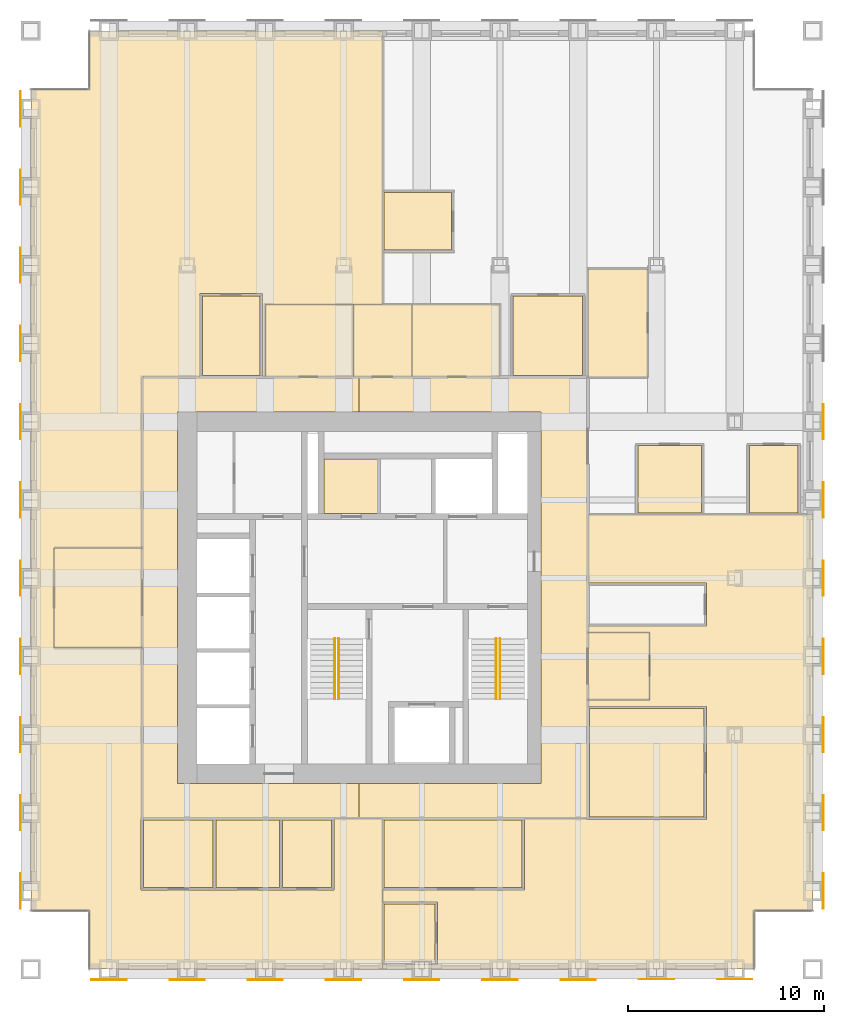
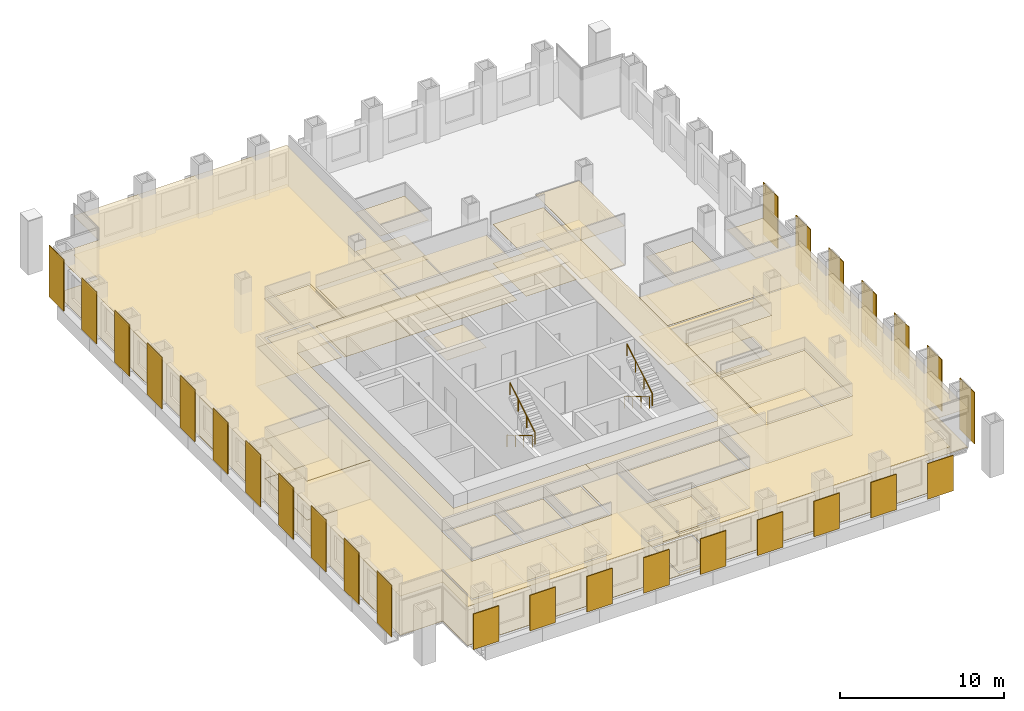
# One storey, part 13 of 14: 41 coverings, 27 shading devices, 4 railings.
"""IFC4 building model written with IfcOpenShell, lengths in metres."""

import ifcopenshell
import ifcopenshell.guid

model = None  # the IFC model being written
_history = None  # IfcOwnerHistory: only IFC2X3 demands one
_inside = {}  # id of a spatial element -> (the spatial element, [elements in it])
_under = {}  # id of a project, library or spatial element -> (it, [spatial elements below it])
_declared = {}  # id of a project -> (the project, [libraries it declares])
_typed = {}  # id of a type object -> (the type object, [elements of that type])
_made_of = {}  # id of a material, layer set ... -> (it, [elements and type objects made of it])


def new_model(schema):
    """Start an empty IFC model of exactly this schema.

    Asked for "IFC4X3", IfcOpenShell would pick the latest addendum, in which some entities
    have other attributes; the version numbers below select the first issue.
    IFC2X3 requires an IfcOwnerHistory on every rooted entity: one is made here for all.
    """
    global model, _history
    if schema == "IFC4X3":
        model = ifcopenshell.file(schema_version=(4, 3, 0, 0))
    else:
        model = ifcopenshell.file(schema=schema)
    _inside.clear()
    _under.clear()
    _declared.clear()
    _typed.clear()
    _made_of.clear()
    _history = None
    if model.schema == "IFC2X3":
        org = make("IfcOrganization", Name="unknown")
        user = make(
            "IfcPersonAndOrganization",
            ThePerson=make("IfcPerson", FamilyName="unknown"),
            TheOrganization=org,
        )
        app = make(
            "IfcApplication",
            ApplicationDeveloper=org,
            Version="unknown",
            ApplicationFullName="unknown",
            ApplicationIdentifier="unknown",
        )
        _history = make(
            "IfcOwnerHistory",
            OwningUser=user,
            OwningApplication=app,
            ChangeAction="ADDED",
            CreationDate=0,
        )
    return model


def make(cls, **values):
    """One entity of the class cls with the attributes given. An attribute that is None is left unset."""
    return model.create_entity(
        cls, **{name: value for name, value in values.items() if value is not None}
    )


def rooted(cls, **values):
    """An entity with a GlobalId (a new one), such as an element, a storey or a relation."""
    return make(cls, GlobalId=ifcopenshell.guid.new(), OwnerHistory=_history, **values)


def si_unit(unit_type, name, prefix=None):
    """IfcSIUnit, for example si_unit("LENGTHUNIT", "METRE", prefix="MILLI")."""
    return make("IfcSIUnit", UnitType=unit_type, Prefix=prefix, Name=name)


def assignment(units):
    """IfcUnitAssignment: the units of a project."""
    return None if units is None else make("IfcUnitAssignment", Units=units)


def point(xyz):
    """IfcCartesianPoint."""
    return None if xyz is None else make("IfcCartesianPoint", Coordinates=xyz)


def direction(xyz):
    """IfcDirection."""
    return None if xyz is None else make("IfcDirection", DirectionRatios=xyz)


def frame(location, z_axis=None, x_axis=None):
    """IfcAxis2Placement3D, a coordinate frame: its origin and axes. An axis left out is left unset."""
    return make(
        "IfcAxis2Placement3D",
        Location=point(location),
        Axis=direction(z_axis),
        RefDirection=direction(x_axis),
    )


def frame_2d(location, x_axis=None):
    """IfcAxis2Placement2D, a coordinate frame in the plane: its origin and x axis."""
    return make(
        "IfcAxis2Placement2D", Location=point(location), RefDirection=direction(x_axis)
    )


def origin():
    """The frame at (0, 0, 0) with its axes left unset."""
    return frame((0.0, 0.0, 0.0))


def origin_2d():
    """The frame at (0, 0) in the plane with its x axis left unset."""
    return frame_2d((0.0, 0.0))


def place(relative_to, where):
    """IfcLocalPlacement: puts the frame where relative to a parent placement (None: the world)."""
    return make(
        "IfcLocalPlacement", PlacementRelTo=relative_to, RelativePlacement=where
    )


def context(
    kind, dimensions, precision=None, world=None, true_north=None, identifier=None
):
    """IfcGeometricRepresentationContext, for example the 3D "Model" context."""
    return make(
        "IfcGeometricRepresentationContext",
        ContextIdentifier=identifier,
        ContextType=kind,
        CoordinateSpaceDimension=dimensions,
        Precision=precision,
        WorldCoordinateSystem=world,
        TrueNorth=true_north,
    )


def subcontext(parent, identifier, kind, view, scale=None):
    """IfcGeometricRepresentationSubContext, for example "Body" below "Model"."""
    return make(
        "IfcGeometricRepresentationSubContext",
        ContextIdentifier=identifier,
        ContextType=kind,
        ParentContext=parent,
        TargetScale=scale,
        TargetView=view,
    )


def project(units=None, contexts=None):
    """IfcProject with its units and contexts."""
    return rooted(
        "IfcProject",
        Name="project",
        RepresentationContexts=contexts,
        UnitsInContext=assignment(units),
    )


def spatial(cls, under=None, at=None, **own):
    """A site, building, storey or space (cls), placed at a placement, below another one or the project."""
    s = rooted(cls, ObjectPlacement=at, **own)
    if under is not None:
        _under.setdefault(under.id(), (under, []))[1].append(s)
    return s


def polyline(points):
    """IfcPolyline through the points."""
    return make("IfcPolyline", Points=[point(p) for p in points])


def profile(cls, at=None, kind="AREA", **sizes):
    """A parametric profile (cls). Its sizes go by their IFC names, for example OverallWidth=200.0."""
    return make(cls, ProfileType=kind, Position=at, **sizes)


def rectangle(**sizes):
    """IfcRectangleProfileDef."""
    return profile("IfcRectangleProfileDef", **sizes)


def circle(**sizes):
    """IfcCircleProfileDef."""
    return profile("IfcCircleProfileDef", **sizes)


def outline(outer, holes=None, kind="AREA"):
    """IfcArbitraryClosedProfileDef: a profile drawn as a closed curve; with holes, ...WithVoids."""
    if holes is None:
        return make("IfcArbitraryClosedProfileDef", ProfileType=kind, OuterCurve=outer)
    return make(
        "IfcArbitraryProfileDefWithVoids",
        ProfileType=kind,
        OuterCurve=outer,
        InnerCurves=holes,
    )


def extrude(swept, where, along, depth):
    """IfcExtrudedAreaSolid: the profile swept, set in the frame where, extruded along a direction by depth."""
    return make(
        "IfcExtrudedAreaSolid",
        SweptArea=swept,
        Position=where,
        ExtrudedDirection=direction(along),
        Depth=depth,
    )


def shape(context_of_items, identifier, shape_type, items):
    """IfcShapeRepresentation: the items that make up one representation, for example the "Body"."""
    return make(
        "IfcShapeRepresentation",
        ContextOfItems=context_of_items,
        RepresentationIdentifier=identifier,
        RepresentationType=shape_type,
        Items=items,
    )


def material(Name=None, Category=None):
    """IfcMaterial."""
    return make("IfcMaterial", Name=Name, Category=Category)


def layer(
    of_material, thickness, ventilated=None, Name=None, Category=None, Priority=None
):
    """IfcMaterialLayer: one layer of a wall or slab, of a material (None: an air gap)."""
    return make(
        "IfcMaterialLayer",
        Material=of_material,
        LayerThickness=thickness,
        IsVentilated=ventilated,
        Name=Name,
        Category=Category,
        Priority=Priority,
    )


def layer_set(layers, Name=None):
    """IfcMaterialLayerSet."""
    return make("IfcMaterialLayerSet", MaterialLayers=layers, LayerSetName=Name)


def made_of(thing, what):
    """Note that an element or type object is made of a material, layer set ...; save() writes the relation."""
    if what is not None:
        _made_of.setdefault(what.id(), (what, []))[1].append(thing)
    return thing


def type_object(cls, material=None, **own):
    """A type object (cls), such as IfcWallType, which elements share."""
    return made_of(rooted(cls, **own), material)


def element(
    cls,
    number,
    at=None,
    inside=None,
    cuts=None,
    type_object=None,
    material=None,
    context=None,
    identifier="Body",
    shape_type=None,
    held_by="IfcProductDefinitionShape",
    body=None,
    shapes=None,
    **own,
):
    """One element of the class cls, such as IfcWall. Its Tag is "e" and its number.

    at: its placement. inside: the storey or other place that contains it. cuts: it is an
    opening in that element (IfcRelVoidsElement). A single representation is given by context,
    identifier, shape_type and body (its items); several are given by shapes. held_by: the class
    of the entity that holds the representations. save() writes the other relations.
    """
    e = rooted(cls, Tag="e%d" % number, ObjectPlacement=at, **own)
    if body is not None:
        shapes = [shape(context, identifier, shape_type, body)]
    if shapes is not None:
        e.Representation = make(held_by, Representations=shapes)
    if inside is not None:
        _inside.setdefault(inside.id(), (inside, []))[1].append(e)
    if cuts is not None:
        rooted(
            "IfcRelVoidsElement", RelatingBuildingElement=cuts, RelatedOpeningElement=e
        )
    if type_object is not None:
        _typed.setdefault(type_object.id(), (type_object, []))[1].append(e)
    return made_of(e, material)


def aggregate(whole, parts):
    """IfcRelAggregates: a whole, such as a stair, and the parts it consists of."""
    return rooted("IfcRelAggregates", RelatingObject=whole, RelatedObjects=parts)


def save(model, path):
    """Write the relations noted so far, then the file.

    IfcRelAggregates (storeys below a building ...), IfcRelContainedInSpatialStructure (elements
    in a storey), IfcRelDefinesByType, IfcRelAssociatesMaterial and IfcRelDeclares: one each for
    every whole, place, type object, material and project.
    """
    for whole, parts in _under.values():
        aggregate(whole, parts)
    for where, things in _inside.values():
        rooted(
            "IfcRelContainedInSpatialStructure",
            RelatedElements=things,
            RelatingStructure=where,
        )
    for kind, things in _typed.values():
        rooted("IfcRelDefinesByType", RelatedObjects=things, RelatingType=kind)
    for what, things in _made_of.values():
        rooted("IfcRelAssociatesMaterial", RelatedObjects=things, RelatingMaterial=what)
    for by, libraries in _declared.values():
        rooted("IfcRelDeclares", RelatingContext=by, RelatedDefinitions=libraries)
    model.write(path)


model = new_model("IFC4")

# Units and contexts
model_context = context("Model", 3, precision=1e-05, world=origin(), true_north=direction((0.0, 1.0)))
body_context = subcontext(model_context, "Body", "Model", "MODEL_VIEW")
ifc_project = project(units=[si_unit("LENGTHUNIT", "METRE"), si_unit("AREAUNIT", "SQUARE_METRE"), si_unit("VOLUMEUNIT", "CUBIC_METRE"), si_unit("PLANEANGLEUNIT", "RADIAN"), si_unit("MASSUNIT", "GRAM", prefix="KILO")], contexts=[model_context])

# Site, building, storey
site_placement = place(None, origin())
site = spatial("IfcSite", under=ifc_project, at=site_placement, CompositionType="ELEMENT")
building_placement = place(site_placement, origin())
building = spatial("IfcBuilding", under=site, at=building_placement, Name="Rimbunsela Tower", CompositionType="ELEMENT")
storey_placement = place(building_placement, frame((0.0, 0.0, 234.199951171875)))
storey = spatial("IfcBuildingStorey", under=building, at=storey_placement, Name="L56", CompositionType="ELEMENT", Elevation=234.199951171875)

# Coverings
ifc_material_1 = material(Name="Nylon carpet tile", Category="textile")
ifc_layer_1 = layer(ifc_material_1, 0.010009765625)
ifc_layer_set_1 = layer_set([ifc_layer_1], Name="Carpet tile 10")
covering_type_1 = type_object("IfcCoveringType", Name="Carpet tile 10", PredefinedType="FLOORING", material=ifc_layer_set_1)
covering_1_placement = place(storey_placement, origin())
element("IfcCovering", 1, at=covering_1_placement, inside=storey, type_object=covering_type_1, Name="Floor finish Open office", PredefinedType="FLOORING", context=body_context, shape_type="SweptSolid", body=[
    extrude(outline(polyline([(19.449951171875, 12.050048828125), (22.75, 12.050048828125), (22.85009765625, 12.050048828125), (25.5, 12.050048828125), (25.5, 15.699951171875), (27.9990234375, 15.699951171875), (27.9990234375, 8.0), (15.699951171875, 8.0), (13.0, 8.0), (13.0, 11.0), (10.0, 11.0), (10.0, 53.0), (13.0, 53.0), (13.0, 56.0), (15.699951171875, 56.0), (27.9990234375, 56.0), (27.9990234375, 42.0), (22.0, 42.0), (22.0, 38.300048828125), (21.85009765625, 38.300048828125), (21.85009765625, 42.550048828125), (18.64990234375, 42.550048828125), (18.64990234375, 38.300048828125), (15.699951171875, 38.300048828125), (15.699951171875, 29.550048828125), (11.199951171875, 29.550048828125), (11.199951171875, 24.449951171875), (15.699951171875, 24.449951171875), (15.699951171875, 15.75), (15.64990234375, 15.75), (15.64990234375, 12.050048828125), (15.699951171875, 12.050048828125), (19.35009765625, 12.050048828125), (19.449951171875, 12.050048828125)])), origin(), (0.0, 0.0, 1.0), 0.010009765625),
])
covering_2_placement = place(storey_placement, origin())
element("IfcCovering", 2, at=covering_2_placement, inside=storey, type_object=covering_type_1, Name="Floor finish Open office", PredefinedType="FLOORING", context=body_context, shape_type="SweptSolid", body=[
    extrude(outline(polyline([(28.0009765625, 8.25), (30.800048828125, 8.25), (30.800048828125, 11.449951171875), (28.0009765625, 11.449951171875), (28.0009765625, 12.050048828125), (35.2509765625, 12.050048828125), (35.2509765625, 15.699951171875), (38.449951171875, 15.699951171875), (38.449951171875, 15.64990234375), (38.5, 15.64990234375), (44.550048828125, 15.64990234375), (44.550048828125, 21.448974609375), (38.5, 21.448974609375), (38.5, 21.77392578125), (41.64990234375, 21.77392578125), (41.64990234375, 25.22412109375), (38.5, 25.22412109375), (38.5, 25.549072265625), (44.550048828125, 25.549072265625), (44.550048828125, 27.7490234375), (38.5, 27.7490234375), (38.5, 31.2490234375), (50.0, 31.2490234375), (50.0, 11.0), (47.0, 11.0), (47.0, 8.0), (38.5, 8.0), (28.0009765625, 8.0), (28.0009765625, 8.25)])), origin(), (0.0, 0.0, 1.0), 0.010009765625),
])
covering_3_placement = place(storey_placement, origin())
element("IfcCovering", 3, at=covering_3_placement, inside=storey, type_object=covering_type_1, Name="Floor finish Reception", PredefinedType="FLOORING", context=body_context, shape_type="SweptSolid", body=[
    extrude(outline(polyline([(15.699951171875, 24.449951171875), (15.699951171875, 29.550048828125), (11.199951171875, 29.550048828125), (11.199951171875, 24.449951171875), (15.699951171875, 24.449951171875)])), origin(), (0.0, 0.0, 1.0), 0.010009765625),
])
covering_4_placement = place(storey_placement, origin())
element("IfcCovering", 4, at=covering_4_placement, inside=storey, type_object=covering_type_1, Name="Floor finish Reception", PredefinedType="FLOORING", context=body_context, shape_type="SweptSolid", body=[
    extrude(outline(polyline([(41.64990234375, 21.77392578125), (41.64990234375, 25.22412109375), (38.5, 25.22412109375), (38.5, 21.77392578125), (41.64990234375, 21.77392578125)])), origin(), (0.0, 0.0, 1.0), 0.010009765625),
])
covering_5_placement = place(storey_placement, origin())
element("IfcCovering", 5, at=covering_5_placement, inside=storey, type_object=covering_type_1, Name="Floor finish Reception", PredefinedType="FLOORING", context=body_context, shape_type="SweptSolid", body=[
    extrude(outline(polyline([(41.550048828125, 38.27587890625), (41.550048828125, 43.825927734375), (38.5, 43.825927734375), (38.5, 38.27587890625), (41.550048828125, 38.27587890625)])), origin(), (0.0, 0.0, 1.0), 0.010009765625),
])
covering_6_placement = place(storey_placement, origin())
element("IfcCovering", 6, at=covering_6_placement, inside=storey, type_object=covering_type_1, Name="Floor finish Meeting room", PredefinedType="FLOORING", context=body_context, shape_type="SweptSolid", body=[
    extrude(outline(polyline([(19.324951171875, 12.175048828125), (19.324951171875, 15.625), (15.77490234375, 15.625), (15.77490234375, 12.175048828125), (19.324951171875, 12.175048828125)])), origin(), (0.0, 0.0, 1.0), 0.010009765625),
])
covering_7_placement = place(storey_placement, origin())
element("IfcCovering", 7, at=covering_7_placement, inside=storey, type_object=covering_type_1, Name="Floor finish Pantry", PredefinedType="FLOORING", context=body_context, shape_type="SweptSolid", body=[
    extrude(outline(polyline([(22.72509765625, 12.175048828125), (22.72509765625, 15.625), (19.47509765625, 15.625), (19.47509765625, 12.175048828125), (22.72509765625, 12.175048828125)])), origin(), (0.0, 0.0, 1.0), 0.010009765625),
])
covering_8_placement = place(storey_placement, origin())
element("IfcCovering", 8, at=covering_8_placement, inside=storey, type_object=covering_type_1, Name="Floor finish Print and copy room", PredefinedType="FLOORING", context=body_context, shape_type="SweptSolid", body=[
    extrude(outline(polyline([(25.375, 12.175048828125), (25.375, 15.625), (22.875, 15.625), (22.875, 12.175048828125), (25.375, 12.175048828125)])), origin(), (0.0, 0.0, 1.0), 0.010009765625),
])
covering_9_placement = place(storey_placement, origin())
element("IfcCovering", 9, at=covering_9_placement, inside=storey, type_object=covering_type_1, Name="Floor finish Boardroom", PredefinedType="FLOORING", context=body_context, shape_type="SweptSolid", body=[
    extrude(outline(polyline([(35.1259765625, 12.175048828125), (35.1259765625, 15.625), (28.075927734375, 15.625), (28.075927734375, 12.175048828125), (35.1259765625, 12.175048828125)])), origin(), (0.0, 0.0, 1.0), 0.010009765625),
])
covering_10_placement = place(storey_placement, origin())
element("IfcCovering", 10, at=covering_10_placement, inside=storey, type_object=covering_type_1, Name="Floor finish Pantry", PredefinedType="FLOORING", context=body_context, shape_type="SweptSolid", body=[
    extrude(outline(polyline([(44.425048828125, 15.77490234375), (44.425048828125, 21.323974609375), (38.574951171875, 21.323974609375), (38.574951171875, 15.77490234375), (44.425048828125, 15.77490234375)])), origin(), (0.0, 0.0, 1.0), 0.010009765625),
])
covering_11_placement = place(storey_placement, origin())
element("IfcCovering", 11, at=covering_11_placement, inside=storey, type_object=covering_type_1, Name="Floor finish Office", PredefinedType="FLOORING", context=body_context, shape_type="SweptSolid", body=[
    extrude(outline(polyline([(21.72509765625, 38.375), (21.72509765625, 42.425048828125), (18.77490234375, 42.425048828125), (18.77490234375, 38.375), (21.72509765625, 38.375)])), origin(), (0.0, 0.0, 1.0), 0.010009765625),
])
covering_12_placement = place(storey_placement, origin())
element("IfcCovering", 12, at=covering_12_placement, inside=storey, type_object=covering_type_1, Name="Floor finish Office", PredefinedType="FLOORING", context=body_context, shape_type="SweptSolid", body=[
    extrude(outline(polyline([(30.675048828125, 8.375), (30.675048828125, 11.324951171875), (28.074951171875, 11.324951171875), (28.074951171875, 8.375), (30.675048828125, 8.375)])), origin(), (0.0, 0.0, 1.0), 0.010009765625),
])
covering_13_placement = place(storey_placement, origin())
element("IfcCovering", 13, at=covering_13_placement, inside=storey, type_object=covering_type_1, Name="Floor finish Meeting room", PredefinedType="FLOORING", context=body_context, shape_type="SweptSolid", body=[
    extrude(outline(polyline([(38.22509765625, 38.375), (38.22509765625, 42.425048828125), (34.675048828125, 42.425048828125), (34.675048828125, 38.375), (38.22509765625, 38.375)])), origin(), (0.0, 0.0, 1.0), 0.010009765625),
])
covering_14_placement = place(storey_placement, origin())
element("IfcCovering", 14, at=covering_14_placement, inside=storey, type_object=covering_type_1, Name="Floor finish Pantry", PredefinedType="FLOORING", context=body_context, shape_type="SweptSolid", body=[
    extrude(outline(polyline([(44.300048828125, 31.324951171875), (44.300048828125, 34.77490234375), (41.050048828125, 34.77490234375), (41.050048828125, 31.324951171875), (44.300048828125, 31.324951171875)])), origin(), (0.0, 0.0, 1.0), 0.010009765625),
])
covering_15_placement = place(storey_placement, origin())
element("IfcCovering", 15, at=covering_15_placement, inside=storey, type_object=covering_type_1, Name="Floor finish Print and copy room", PredefinedType="FLOORING", context=body_context, shape_type="SweptSolid", body=[
    extrude(outline(polyline([(49.25, 31.324951171875), (49.25, 34.77490234375), (46.75, 34.77490234375), (46.75, 31.324951171875), (49.25, 31.324951171875)])), origin(), (0.0, 0.0, 1.0), 0.010009765625),
])
covering_16_placement = place(storey_placement, origin())
element("IfcCovering", 16, at=covering_16_placement, inside=storey, type_object=covering_type_1, Name="Floor finish Office", PredefinedType="FLOORING", context=body_context, shape_type="SweptSolid", body=[
    extrude(outline(polyline([(31.52490234375, 44.77490234375), (31.52490234375, 47.72509765625), (28.074951171875, 47.72509765625), (28.074951171875, 44.77490234375), (31.52490234375, 44.77490234375)])), origin(), (0.0, 0.0, 1.0), 0.010009765625),
])
ifc_material_2 = material(Name="Mineral fibre ceiling tile", Category="gypsum")
ifc_layer_2 = layer(ifc_material_2, 0.02001953125)
ifc_layer_set_2 = layer_set([ifc_layer_2], Name="Ceiling 600 grid")
covering_type_2 = type_object("IfcCoveringType", Name="Ceiling 600 grid", PredefinedType="CEILING", material=ifc_layer_set_2)
covering_17_placement = place(storey_placement, frame((0.0, 0.0, 2.900146484375)))
element("IfcCovering", 17, at=covering_17_placement, inside=storey, type_object=covering_type_2, Name="Ceiling IT room", PredefinedType="CEILING", context=body_context, shape_type="SweptSolid", body=[
    extrude(outline(polyline([(27.800048828125, 31.300048828125), (27.800048828125, 34.10009765625), (25.0, 34.10009765625), (25.0, 31.300048828125), (27.800048828125, 31.300048828125)])), origin(), (0.0, 0.0, 1.0), 0.02001953125),
])
covering_18_placement = place(storey_placement, frame((0.0, 0.0, 2.900146484375)))
element("IfcCovering", 18, at=covering_18_placement, inside=storey, type_object=covering_type_2, Name="Ceiling Ring corridor", PredefinedType="CEILING", context=body_context, shape_type="SweptSolid", body=[
    extrude(outline(polyline([(15.699951171875, 38.300048828125), (26.800048828125, 38.300048828125), (26.800048828125, 36.5), (17.5, 36.5), (17.5, 17.5), (26.800048828125, 17.5), (26.800048828125, 15.699951171875), (15.699951171875, 15.699951171875), (15.699951171875, 38.300048828125)])), origin(), (0.0, 0.0, 1.0), 0.02001953125),
])
covering_19_placement = place(storey_placement, frame((0.0, 0.0, 2.900146484375)))
element("IfcCovering", 19, at=covering_19_placement, inside=storey, type_object=covering_type_2, Name="Ceiling Ring corridor", PredefinedType="CEILING", context=body_context, shape_type="SweptSolid", body=[
    extrude(outline(polyline([(38.5, 38.300048828125), (38.5, 15.699951171875), (26.800048828125, 15.699951171875), (26.800048828125, 17.5), (36.10009765625, 17.5), (36.10009765625, 36.5), (26.800048828125, 36.5), (26.800048828125, 38.300048828125), (38.5, 38.300048828125)])), origin(), (0.0, 0.0, 1.0), 0.02001953125),
])
covering_20_placement = place(storey_placement, frame((0.0, 0.0, 2.900146484375)))
element("IfcCovering", 20, at=covering_20_placement, inside=storey, type_object=covering_type_2, Name="Ceiling Open office", PredefinedType="CEILING", context=body_context, shape_type="SweptSolid", body=[
    extrude(outline(polyline([(19.449951171875, 12.050048828125), (22.75, 12.050048828125), (22.85009765625, 12.050048828125), (25.5, 12.050048828125), (25.5, 15.699951171875), (27.9990234375, 15.699951171875), (27.9990234375, 8.0), (15.699951171875, 8.0), (13.0, 8.0), (13.0, 11.0), (10.0, 11.0), (10.0, 53.0), (13.0, 53.0), (13.0, 56.0), (15.699951171875, 56.0), (27.9990234375, 56.0), (27.9990234375, 42.0), (22.0, 42.0), (22.0, 38.300048828125), (21.85009765625, 38.300048828125), (21.85009765625, 42.550048828125), (18.64990234375, 42.550048828125), (18.64990234375, 38.300048828125), (15.699951171875, 38.300048828125), (15.699951171875, 29.550048828125), (11.199951171875, 29.550048828125), (11.199951171875, 24.449951171875), (15.699951171875, 24.449951171875), (15.699951171875, 15.75), (15.64990234375, 15.75), (15.64990234375, 12.050048828125), (15.699951171875, 12.050048828125), (19.35009765625, 12.050048828125), (19.449951171875, 12.050048828125)])), origin(), (0.0, 0.0, 1.0), 0.02001953125),
])
covering_21_placement = place(storey_placement, frame((0.0, 0.0, 2.900146484375)))
element("IfcCovering", 21, at=covering_21_placement, inside=storey, type_object=covering_type_2, Name="Ceiling Open office", PredefinedType="CEILING", context=body_context, shape_type="SweptSolid", body=[
    extrude(outline(polyline([(28.0009765625, 8.25), (30.800048828125, 8.25), (30.800048828125, 11.449951171875), (28.0009765625, 11.449951171875), (28.0009765625, 12.050048828125), (35.2509765625, 12.050048828125), (35.2509765625, 15.699951171875), (38.449951171875, 15.699951171875), (38.449951171875, 15.64990234375), (38.5, 15.64990234375), (44.550048828125, 15.64990234375), (44.550048828125, 21.448974609375), (38.5, 21.448974609375), (38.5, 21.77392578125), (41.64990234375, 21.77392578125), (41.64990234375, 25.22412109375), (38.5, 25.22412109375), (38.5, 25.549072265625), (44.550048828125, 25.549072265625), (44.550048828125, 27.7490234375), (38.5, 27.7490234375), (38.5, 31.2490234375), (50.0, 31.2490234375), (50.0, 11.0), (47.0, 11.0), (47.0, 8.0), (38.5, 8.0), (28.0009765625, 8.0), (28.0009765625, 8.25)])), origin(), (0.0, 0.0, 1.0), 0.02001953125),
])
covering_22_placement = place(storey_placement, frame((0.0, 0.0, 2.900146484375)))
element("IfcCovering", 22, at=covering_22_placement, inside=storey, type_object=covering_type_2, Name="Ceiling Reception", PredefinedType="CEILING", context=body_context, shape_type="SweptSolid", body=[
    extrude(outline(polyline([(15.699951171875, 24.449951171875), (15.699951171875, 29.550048828125), (11.199951171875, 29.550048828125), (11.199951171875, 24.449951171875), (15.699951171875, 24.449951171875)])), origin(), (0.0, 0.0, 1.0), 0.02001953125),
])
covering_23_placement = place(storey_placement, frame((0.0, 0.0, 2.900146484375)))
element("IfcCovering", 23, at=covering_23_placement, inside=storey, type_object=covering_type_2, Name="Ceiling Reception", PredefinedType="CEILING", context=body_context, shape_type="SweptSolid", body=[
    extrude(outline(polyline([(41.64990234375, 21.77392578125), (41.64990234375, 25.22412109375), (38.5, 25.22412109375), (38.5, 21.77392578125), (41.64990234375, 21.77392578125)])), origin(), (0.0, 0.0, 1.0), 0.02001953125),
])
covering_24_placement = place(storey_placement, frame((0.0, 0.0, 2.900146484375)))
element("IfcCovering", 24, at=covering_24_placement, inside=storey, type_object=covering_type_2, Name="Ceiling Reception", PredefinedType="CEILING", context=body_context, shape_type="SweptSolid", body=[
    extrude(outline(polyline([(41.550048828125, 38.27587890625), (41.550048828125, 43.825927734375), (38.5, 43.825927734375), (38.5, 38.27587890625), (41.550048828125, 38.27587890625)])), origin(), (0.0, 0.0, 1.0), 0.02001953125),
])
covering_25_placement = place(storey_placement, frame((0.0, 0.0, 2.900146484375)))
element("IfcCovering", 25, at=covering_25_placement, inside=storey, type_object=covering_type_2, Name="Ceiling Meeting room", PredefinedType="CEILING", context=body_context, shape_type="SweptSolid", body=[
    extrude(outline(polyline([(19.324951171875, 12.175048828125), (19.324951171875, 15.625), (15.77490234375, 15.625), (15.77490234375, 12.175048828125), (19.324951171875, 12.175048828125)])), origin(), (0.0, 0.0, 1.0), 0.02001953125),
])
covering_26_placement = place(storey_placement, frame((0.0, 0.0, 2.900146484375)))
element("IfcCovering", 26, at=covering_26_placement, inside=storey, type_object=covering_type_2, Name="Ceiling Pantry", PredefinedType="CEILING", context=body_context, shape_type="SweptSolid", body=[
    extrude(outline(polyline([(22.72509765625, 12.175048828125), (22.72509765625, 15.625), (19.47509765625, 15.625), (19.47509765625, 12.175048828125), (22.72509765625, 12.175048828125)])), origin(), (0.0, 0.0, 1.0), 0.02001953125),
])
covering_27_placement = place(storey_placement, frame((0.0, 0.0, 2.900146484375)))
element("IfcCovering", 27, at=covering_27_placement, inside=storey, type_object=covering_type_2, Name="Ceiling Print and copy room", PredefinedType="CEILING", context=body_context, shape_type="SweptSolid", body=[
    extrude(outline(polyline([(25.375, 12.175048828125), (25.375, 15.625), (22.875, 15.625), (22.875, 12.175048828125), (25.375, 12.175048828125)])), origin(), (0.0, 0.0, 1.0), 0.02001953125),
])
covering_28_placement = place(storey_placement, frame((0.0, 0.0, 2.900146484375)))
element("IfcCovering", 28, at=covering_28_placement, inside=storey, type_object=covering_type_2, Name="Ceiling Boardroom", PredefinedType="CEILING", context=body_context, shape_type="SweptSolid", body=[
    extrude(outline(polyline([(35.1259765625, 12.175048828125), (35.1259765625, 15.625), (28.075927734375, 15.625), (28.075927734375, 12.175048828125), (35.1259765625, 12.175048828125)])), origin(), (0.0, 0.0, 1.0), 0.02001953125),
])
covering_29_placement = place(storey_placement, frame((0.0, 0.0, 2.900146484375)))
element("IfcCovering", 29, at=covering_29_placement, inside=storey, type_object=covering_type_2, Name="Ceiling Pantry", PredefinedType="CEILING", context=body_context, shape_type="SweptSolid", body=[
    extrude(outline(polyline([(44.425048828125, 15.77490234375), (44.425048828125, 21.323974609375), (38.574951171875, 21.323974609375), (38.574951171875, 15.77490234375), (44.425048828125, 15.77490234375)])), origin(), (0.0, 0.0, 1.0), 0.02001953125),
])
covering_30_placement = place(storey_placement, frame((0.0, 0.0, 2.900146484375)))
element("IfcCovering", 30, at=covering_30_placement, inside=storey, type_object=covering_type_2, Name="Ceiling Office", PredefinedType="CEILING", context=body_context, shape_type="SweptSolid", body=[
    extrude(outline(polyline([(21.72509765625, 38.375), (21.72509765625, 42.425048828125), (18.77490234375, 42.425048828125), (18.77490234375, 38.375), (21.72509765625, 38.375)])), origin(), (0.0, 0.0, 1.0), 0.02001953125),
])
covering_31_placement = place(storey_placement, frame((0.0, 0.0, 2.900146484375)))
element("IfcCovering", 31, at=covering_31_placement, inside=storey, type_object=covering_type_2, Name="Ceiling Office", PredefinedType="CEILING", context=body_context, shape_type="SweptSolid", body=[
    extrude(outline(polyline([(30.675048828125, 8.375), (30.675048828125, 11.324951171875), (28.074951171875, 11.324951171875), (28.074951171875, 8.375), (30.675048828125, 8.375)])), origin(), (0.0, 0.0, 1.0), 0.02001953125),
])
covering_32_placement = place(storey_placement, frame((0.0, 0.0, 2.900146484375)))
element("IfcCovering", 32, at=covering_32_placement, inside=storey, type_object=covering_type_2, Name="Ceiling Meeting room", PredefinedType="CEILING", context=body_context, shape_type="SweptSolid", body=[
    extrude(outline(polyline([(38.22509765625, 38.375), (38.22509765625, 42.425048828125), (34.675048828125, 42.425048828125), (34.675048828125, 38.375), (38.22509765625, 38.375)])), origin(), (0.0, 0.0, 1.0), 0.02001953125),
])
covering_33_placement = place(storey_placement, frame((0.0, 0.0, 2.900146484375)))
element("IfcCovering", 33, at=covering_33_placement, inside=storey, type_object=covering_type_2, Name="Ceiling Pantry", PredefinedType="CEILING", context=body_context, shape_type="SweptSolid", body=[
    extrude(outline(polyline([(44.300048828125, 31.324951171875), (44.300048828125, 34.77490234375), (41.050048828125, 34.77490234375), (41.050048828125, 31.324951171875), (44.300048828125, 31.324951171875)])), origin(), (0.0, 0.0, 1.0), 0.02001953125),
])
covering_34_placement = place(storey_placement, frame((0.0, 0.0, 2.900146484375)))
element("IfcCovering", 34, at=covering_34_placement, inside=storey, type_object=covering_type_2, Name="Ceiling Print and copy room", PredefinedType="CEILING", context=body_context, shape_type="SweptSolid", body=[
    extrude(outline(polyline([(49.25, 31.324951171875), (49.25, 34.77490234375), (46.75, 34.77490234375), (46.75, 31.324951171875), (49.25, 31.324951171875)])), origin(), (0.0, 0.0, 1.0), 0.02001953125),
])
covering_35_placement = place(storey_placement, frame((0.0, 0.0, 2.900146484375)))
element("IfcCovering", 35, at=covering_35_placement, inside=storey, type_object=covering_type_2, Name="Ceiling Office", PredefinedType="CEILING", context=body_context, shape_type="SweptSolid", body=[
    extrude(outline(polyline([(31.52490234375, 44.77490234375), (31.52490234375, 47.72509765625), (28.074951171875, 47.72509765625), (28.074951171875, 44.77490234375), (31.52490234375, 44.77490234375)])), origin(), (0.0, 0.0, 1.0), 0.02001953125),
])
ifc_material_3 = material(Name="Moisture-resistant plasterboard ceiling", Category="gypsum")
ifc_layer_3 = layer(ifc_material_3, 0.012451171875)
ifc_layer_set_3 = layer_set([ifc_layer_3], Name="Ceiling moisture-resistant board")
covering_type_3 = type_object("IfcCoveringType", Name="Ceiling moisture-resistant board", PredefinedType="CEILING", material=ifc_layer_set_3)
covering_36_placement = place(storey_placement, frame((0.0, 0.0, 2.60009765625)))
element("IfcCovering", 36, at=covering_36_placement, inside=storey, type_object=covering_type_3, Name="Ceiling Female WC", PredefinedType="CEILING", context=body_context, shape_type="SweptSolid", body=[
    extrude(outline(polyline([(26.5, 38.300048828125), (26.5, 42.0), (22.0, 42.0), (22.0, 38.300048828125), (26.5, 38.300048828125)])), origin(), (0.0, 0.0, 1.0), 0.02001953125),
])
covering_37_placement = place(storey_placement, frame((0.0, 0.0, 2.60009765625)))
element("IfcCovering", 37, at=covering_37_placement, inside=storey, type_object=covering_type_3, Name="Ceiling Accessible WC", PredefinedType="CEILING", context=body_context, shape_type="SweptSolid", body=[
    extrude(outline(polyline([(29.5, 38.300048828125), (29.5, 42.0), (26.5, 42.0), (26.5, 38.300048828125), (29.5, 38.300048828125)])), origin(), (0.0, 0.0, 1.0), 0.02001953125),
])
covering_38_placement = place(storey_placement, frame((0.0, 0.0, 2.60009765625)))
element("IfcCovering", 38, at=covering_38_placement, inside=storey, type_object=covering_type_3, Name="Ceiling Male WC", PredefinedType="CEILING", context=body_context, shape_type="SweptSolid", body=[
    extrude(outline(polyline([(34.0, 38.300048828125), (34.0, 42.0), (29.5, 42.0), (29.5, 38.300048828125), (34.0, 38.300048828125)])), origin(), (0.0, 0.0, 1.0), 0.02001953125),
])
ifc_material_4 = material(Name="Porcelain floor tile in adhesive bed", Category="ceramic")
ifc_layer_4 = layer(ifc_material_4, 0.02001953125)
ifc_layer_set_4 = layer_set([ifc_layer_4], Name="Porcelain tile 20")
covering_type_4 = type_object("IfcCoveringType", Name="Porcelain tile 20", PredefinedType="FLOORING", material=ifc_layer_set_4)
covering_39_placement = place(storey_placement, origin())
element("IfcCovering", 39, at=covering_39_placement, inside=storey, type_object=covering_type_4, Name="Floor finish Female WC", PredefinedType="FLOORING", context=body_context, shape_type="SweptSolid", body=[
    extrude(outline(polyline([(26.5, 38.300048828125), (26.5, 42.0), (22.0, 42.0), (22.0, 38.300048828125), (26.5, 38.300048828125)])), origin(), (0.0, 0.0, 1.0), 0.02001953125),
])
covering_40_placement = place(storey_placement, origin())
element("IfcCovering", 40, at=covering_40_placement, inside=storey, type_object=covering_type_4, Name="Floor finish Accessible WC", PredefinedType="FLOORING", context=body_context, shape_type="SweptSolid", body=[
    extrude(outline(polyline([(29.5, 38.300048828125), (29.5, 42.0), (26.5, 42.0), (26.5, 38.300048828125), (29.5, 38.300048828125)])), origin(), (0.0, 0.0, 1.0), 0.02001953125),
])
covering_41_placement = place(storey_placement, origin())
element("IfcCovering", 41, at=covering_41_placement, inside=storey, type_object=covering_type_4, Name="Floor finish Male WC", PredefinedType="FLOORING", context=body_context, shape_type="SweptSolid", body=[
    extrude(outline(polyline([(34.0, 38.300048828125), (34.0, 42.0), (29.5, 42.0), (29.5, 38.300048828125), (34.0, 38.300048828125)])), origin(), (0.0, 0.0, 1.0), 0.02001953125),
])

# Shading devices
ifc_material_5 = material(Name="Perforated aluminium, 35 % open area", Category="aluminium")
ifc_layer_5 = layer(ifc_material_5, 0.050048828125)
ifc_layer_set_5 = layer_set([ifc_layer_5], Name="Solar screen panel 1800")
shading_device_type = type_object("IfcShadingDeviceType", Name="Solar screen panel 1800", PredefinedType="USERDEFINED", material=ifc_layer_set_5)
for number, where, z_axis, x_axis, name in (
    (42, (14.0, 7.47509765625, 0.0), (0.0, 0.0, 1.0), (1.0, 0.0, 0.0), "Solar screen S L56"),
    (43, (18.0, 7.47509765625, 0.0), (0.0, 0.0, 1.0), (1.0, 0.0, 0.0), "Solar screen S L56"),
    (44, (22.0, 7.47509765625, 0.0), (0.0, 0.0, 1.0), (1.0, 0.0, 0.0), "Solar screen S L56"),
    (45, (26.0, 7.47509765625, 0.0), (0.0, 0.0, 1.0), (1.0, 0.0, 0.0), "Solar screen S L56"),
    (46, (30.0, 7.47509765625, 0.0), (0.0, 0.0, 1.0), (1.0, 0.0, 0.0), "Solar screen S L56"),
    (47, (34.0, 7.47509765625, 0.0), (0.0, 0.0, 1.0), (1.0, 0.0, 0.0), "Solar screen S L56"),
    (48, (38.0, 7.47509765625, 0.0), (0.0, 0.0, 1.0), (1.0, 0.0, 0.0), "Solar screen S L56"),
    (49, (42.0, 7.47509765625, 0.0), (0.0, 0.0, 1.0), (1.0, 0.0, 0.0), "Solar screen S L56"),
    (50, (46.0, 7.47509765625, 0.0), (0.0, 0.0, 1.0), (1.0, 0.0, 0.0), "Solar screen S L56"),
):
    element("IfcShadingDevice", number, at=place(storey_placement, frame(where, z_axis=z_axis, x_axis=x_axis)), inside=storey, type_object=shading_device_type, Name=name, ObjectType="SCREEN", PredefinedType="USERDEFINED", context=body_context, shape_type="SweptSolid", body=[
        extrude(rectangle(XDim=1.800048828125, YDim=0.050048828125, at=origin_2d()), origin(), (0.0, 0.0, 1.0), 2.64990234375),
    ])
for number, where, z_axis, x_axis, name in (
    (51, (50.52490234375, 12.0, 0.0), (0.0, 0.0, 1.0), (0.0, 1.0, 0.0), "Solar screen E L56"),
    (52, (50.52490234375, 16.0, 0.0), (0.0, 0.0, 1.0), (0.0, 1.0, 0.0), "Solar screen E L56"),
    (53, (50.52490234375, 20.0, 0.0), (0.0, 0.0, 1.0), (0.0, 1.0, 0.0), "Solar screen E L56"),
    (54, (50.52490234375, 24.0, 0.0), (0.0, 0.0, 1.0), (0.0, 1.0, 0.0), "Solar screen E L56"),
    (55, (50.52490234375, 28.0, 0.0), (0.0, 0.0, 1.0), (0.0, 1.0, 0.0), "Solar screen E L56"),
    (56, (50.52490234375, 32.0, 0.0), (0.0, 0.0, 1.0), (0.0, 1.0, 0.0), "Solar screen E L56"),
    (57, (50.52490234375, 36.0, 0.0), (0.0, 0.0, 1.0), (0.0, 1.0, 0.0), "Solar screen E L56"),
    (58, (9.47509765625, 12.0, 0.0), (0.0, 0.0, 1.0), (0.0, 1.0, 0.0), "Solar screen W L56"),
    (59, (9.47509765625, 16.0, 0.0), (0.0, 0.0, 1.0), (0.0, 1.0, 0.0), "Solar screen W L56"),
    (60, (9.47509765625, 20.0, 0.0), (0.0, 0.0, 1.0), (0.0, 1.0, 0.0), "Solar screen W L56"),
    (61, (9.47509765625, 24.0, 0.0), (0.0, 0.0, 1.0), (0.0, 1.0, 0.0), "Solar screen W L56"),
    (62, (9.47509765625, 28.0, 0.0), (0.0, 0.0, 1.0), (0.0, 1.0, 0.0), "Solar screen W L56"),
    (63, (9.47509765625, 32.0, 0.0), (0.0, 0.0, 1.0), (0.0, 1.0, 0.0), "Solar screen W L56"),
    (64, (9.47509765625, 36.0, 0.0), (0.0, 0.0, 1.0), (0.0, 1.0, 0.0), "Solar screen W L56"),
    (65, (9.47509765625, 40.0, 0.0), (0.0, 0.0, 1.0), (0.0, 1.0, 0.0), "Solar screen W L56"),
    (66, (9.47509765625, 44.0, 0.0), (0.0, 0.0, 1.0), (0.0, 1.0, 0.0), "Solar screen W L56"),
    (67, (9.47509765625, 48.0, 0.0), (0.0, 0.0, 1.0), (0.0, 1.0, 0.0), "Solar screen W L56"),
    (68, (9.47509765625, 52.0, 0.0), (0.0, 0.0, 1.0), (0.0, 1.0, 0.0), "Solar screen W L56"),
):
    element("IfcShadingDevice", number, at=place(storey_placement, frame(where, z_axis=z_axis, x_axis=x_axis)), inside=storey, type_object=shading_device_type, Name=name, ObjectType="SCREEN", PredefinedType="USERDEFINED", context=body_context, shape_type="SweptSolid", body=[
        extrude(rectangle(XDim=1.800048828125, YDim=0.050048828125, at=origin_2d()), origin(), (0.0, 0.0, 1.0), 3.85009765625),
    ])

# Railings
ifc_material_6 = material(Name="Stainless steel tube", Category="steel")
railing_type = type_object("IfcRailingType", Name="Stair handrail 900", PredefinedType="HANDRAIL", material=ifc_material_6)
railing_1_placement = place(storey_placement, frame((25.550048828125, 24.89990234375, 0.166748046875)))
element("IfcRailing", 69, at=railing_1_placement, inside=storey, type_object=railing_type, Name="Handrail ST-A flight 1", PredefinedType="HANDRAIL", context=body_context, shape_type="SweptSolid", body=[
    extrude(circle(Radius=0.02392578125, at=origin_2d()), frame((0.0, 0.0, 0.8759765625), z_axis=(0.0, -0.859290745958, 0.51148745235), x_axis=(1.0, 0.0, 0.0)), (0.0, 0.0, 1.0), 3.584228515625),
    extrude(circle(Radius=0.02099609375, at=origin_2d()), origin(), (0.0, 0.0, 1.0), 0.851806640625),
    extrude(circle(Radius=0.02099609375, at=origin_2d()), frame((0.0, -1.026611328125, 0.611083984375)), (0.0, 0.0, 1.0), 0.851806640625),
    extrude(circle(Radius=0.02099609375, at=origin_2d()), frame((0.0, -2.05322265625, 1.22216796875)), (0.0, 0.0, 1.0), 0.851806640625),
    extrude(circle(Radius=0.02099609375, at=origin_2d()), frame((0.0, -3.079833984375, 1.833251953125)), (0.0, 0.0, 1.0), 0.851806640625),
])
railing_2_placement = place(storey_placement, frame((25.75, 21.820068359375, 2.166748046875)))
element("IfcRailing", 70, at=railing_2_placement, inside=storey, type_object=railing_type, Name="Handrail ST-A flight 2", PredefinedType="HANDRAIL", context=body_context, shape_type="SweptSolid", body=[
    extrude(circle(Radius=0.02392578125, at=origin_2d()), frame((0.0, 0.0, 0.8759765625), z_axis=(0.0, 0.859290745958, 0.51148745235), x_axis=(-1.0, 0.0, 0.0)), (0.0, 0.0, 1.0), 3.584228515625),
    extrude(circle(Radius=0.02099609375, at=origin_2d()), origin(), (0.0, 0.0, 1.0), 0.851806640625),
    extrude(circle(Radius=0.02099609375, at=origin_2d()), frame((0.0, 1.026611328125, 0.611083984375)), (0.0, 0.0, 1.0), 0.851806640625),
    extrude(circle(Radius=0.02099609375, at=origin_2d()), frame((0.0, 2.05322265625, 1.22216796875)), (0.0, 0.0, 1.0), 0.851806640625),
    extrude(circle(Radius=0.02099609375, at=origin_2d()), frame((0.0, 3.079833984375, 1.833251953125)), (0.0, 0.0, 1.0), 0.851806640625),
])
railing_3_placement = place(storey_placement, frame((33.800048828125, 24.89990234375, 0.166748046875)))
element("IfcRailing", 71, at=railing_3_placement, inside=storey, type_object=railing_type, Name="Handrail ST-B flight 1", PredefinedType="HANDRAIL", context=body_context, shape_type="SweptSolid", body=[
    extrude(circle(Radius=0.02392578125, at=origin_2d()), frame((0.0, 0.0, 0.8759765625), z_axis=(0.0, -0.859290745958, 0.51148745235), x_axis=(1.0, 0.0, 0.0)), (0.0, 0.0, 1.0), 3.584228515625),
    extrude(circle(Radius=0.02099609375, at=origin_2d()), origin(), (0.0, 0.0, 1.0), 0.851806640625),
    extrude(circle(Radius=0.02099609375, at=origin_2d()), frame((0.0, -1.026611328125, 0.611083984375)), (0.0, 0.0, 1.0), 0.851806640625),
    extrude(circle(Radius=0.02099609375, at=origin_2d()), frame((0.0, -2.05322265625, 1.22216796875)), (0.0, 0.0, 1.0), 0.851806640625),
    extrude(circle(Radius=0.02099609375, at=origin_2d()), frame((0.0, -3.079833984375, 1.833251953125)), (0.0, 0.0, 1.0), 0.851806640625),
])
railing_4_placement = place(storey_placement, frame((34.0, 21.820068359375, 2.166748046875)))
element("IfcRailing", 72, at=railing_4_placement, inside=storey, type_object=railing_type, Name="Handrail ST-B flight 2", PredefinedType="HANDRAIL", context=body_context, shape_type="SweptSolid", body=[
    extrude(circle(Radius=0.02392578125, at=origin_2d()), frame((0.0, 0.0, 0.8759765625), z_axis=(0.0, 0.859290745958, 0.51148745235), x_axis=(-1.0, 0.0, 0.0)), (0.0, 0.0, 1.0), 3.584228515625),
    extrude(circle(Radius=0.02099609375, at=origin_2d()), origin(), (0.0, 0.0, 1.0), 0.851806640625),
    extrude(circle(Radius=0.02099609375, at=origin_2d()), frame((0.0, 1.026611328125, 0.611083984375)), (0.0, 0.0, 1.0), 0.851806640625),
    extrude(circle(Radius=0.02099609375, at=origin_2d()), frame((0.0, 2.05322265625, 1.22216796875)), (0.0, 0.0, 1.0), 0.851806640625),
    extrude(circle(Radius=0.02099609375, at=origin_2d()), frame((0.0, 3.079833984375, 1.833251953125)), (0.0, 0.0, 1.0), 0.851806640625),
])

save(model, "model.ifc")
